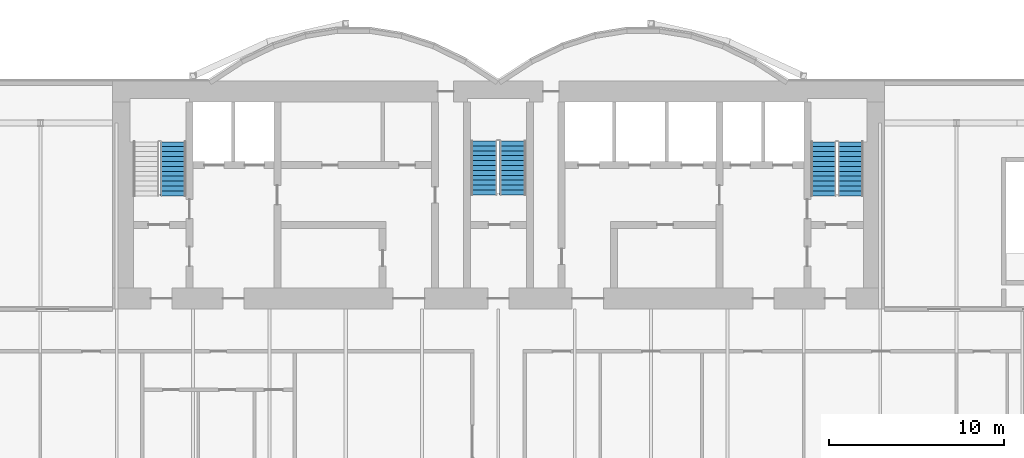
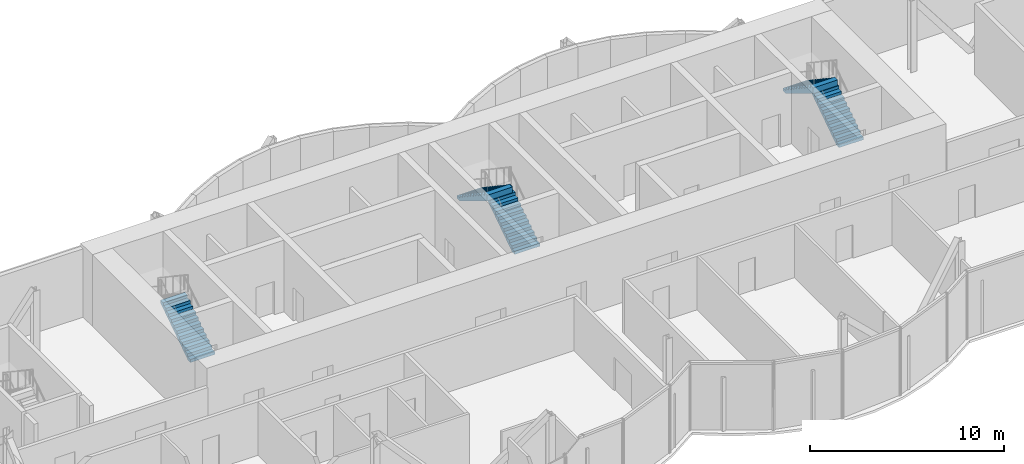
# One storey, part 13 of 16: 5 stair flights, 3 elements without a shape of their own.
"""IFC4 building model written with IfcOpenShell, lengths in metres."""

from ifc_helpers import new_model, si_unit, direction, frame, origin, place, context, subcontext, project, spatial, polyline, outline, extrude, material, type_object, element, aggregate, save


model = new_model("IFC4")

# Units and contexts
model_context = context("Model", 3, precision=1e-05, world=origin(), true_north=direction((0.0, 1.0)))
body_context = subcontext(model_context, "Body", "Model", "MODEL_VIEW")
ifc_project = project(units=[si_unit("LENGTHUNIT", "METRE"), si_unit("AREAUNIT", "SQUARE_METRE"), si_unit("VOLUMEUNIT", "CUBIC_METRE"), si_unit("PLANEANGLEUNIT", "RADIAN"), si_unit("MASSUNIT", "GRAM", prefix="KILO")], contexts=[model_context])

# Site, building, storey
site_placement = place(None, origin())
site = spatial("IfcSite", under=ifc_project, at=site_placement, CompositionType="ELEMENT")
building_placement = place(site_placement, origin())
building = spatial("IfcBuilding", under=site, at=building_placement, Name="Bicima Exchange Tower", CompositionType="ELEMENT")
storey_placement = place(building_placement, frame((0.0, 0.0, 338.0)))
storey = spatial("IfcBuildingStorey", under=building, at=storey_placement, Name="L76", CompositionType="ELEMENT", Elevation=338.0)

# Stair, stair flight
ifc_material = material(Name="Concrete C50/60", Category="concrete")
stair_type_1 = type_object("IfcStairType", Name="Exit stair", PredefinedType="HALF_TURN_STAIR", material=ifc_material)
stair_1_placement = place(storey_placement, origin())
stair_1 = element("IfcStair", 1, at=stair_1_placement, inside=storey, type_object=stair_type_1, Name="L76 West exit stair", PredefinedType="HALF_TURN_STAIR")
stair_flight_type_1 = type_object("IfcStairFlightType", Name="Stair flight RC", PredefinedType="STRAIGHT", material=ifc_material)
stair_flight_1_placement = place(storey_placement, frame((-18.52490234375, -6.550048828125, 0.0), z_axis=(0.0, 0.0, 1.0), x_axis=(0.0, 1.0, 0.0)))
stair_flight_1 = element("IfcStairFlight", 2, at=stair_flight_1_placement, type_object=stair_flight_type_1, Name="ST-W flight 1", NumberOfRisers=12, NumberOfTreads=11, PredefinedType="STRAIGHT", RiserHeight=0.1875, TreadLength=0.28, context=body_context, shape_type="SweptSolid", body=[
    extrude(outline(polyline([(0.0, 0.0), (0.0, 0.1875), (0.280029296875, 0.1875), (0.280029296875, 0.375), (0.56005859375, 0.375), (0.56005859375, 0.5625), (0.840087890625, 0.5625), (0.840087890625, 0.75), (1.1201171875, 0.75), (1.1201171875, 0.9375), (1.39990234375, 0.9375), (1.39990234375, 1.125), (1.679931640625, 1.125), (1.679931640625, 1.3125), (1.9599609375, 1.3125), (1.9599609375, 1.5), (2.239990234375, 1.5), (2.239990234375, 1.6875), (2.52001953125, 1.6875), (2.52001953125, 1.875), (2.800048828125, 1.875), (2.800048828125, 2.0625), (3.080078125, 2.0625), (3.080078125, 2.25), (3.080078125, 1.882080078125), (0.26953125, 0.0), (0.0, 0.0)])), frame((0.0, 0.72509765625, 0.0), z_axis=(0.0, -1.0, 0.0), x_axis=(1.0, 0.0, 0.0)), (0.0, 0.0, 1.0), 1.449951171875),
])
aggregate(stair_1, [stair_flight_1])

# Stair, stair flights
stair_2_placement = place(storey_placement, origin())
stair_2 = element("IfcStair", 3, at=stair_2_placement, inside=storey, type_object=stair_type_1, Name="L76 East exit stair", PredefinedType="HALF_TURN_STAIR")
stair_flight_2_placement = place(storey_placement, frame((20.074951171875, -6.550048828125, 0.0), z_axis=(0.0, 0.0, 1.0), x_axis=(0.0, 1.0, 0.0)))
stair_flight_2 = element("IfcStairFlight", 4, at=stair_flight_2_placement, type_object=stair_flight_type_1, Name="ST-E flight 1", NumberOfRisers=12, NumberOfTreads=11, PredefinedType="STRAIGHT", RiserHeight=0.1875, TreadLength=0.28, context=body_context, shape_type="SweptSolid", body=[
    extrude(outline(polyline([(0.0, 0.0), (0.0, 0.1875), (0.280029296875, 0.1875), (0.280029296875, 0.375), (0.56005859375, 0.375), (0.56005859375, 0.5625), (0.840087890625, 0.5625), (0.840087890625, 0.75), (1.1201171875, 0.75), (1.1201171875, 0.9375), (1.39990234375, 0.9375), (1.39990234375, 1.125), (1.679931640625, 1.125), (1.679931640625, 1.3125), (1.9599609375, 1.3125), (1.9599609375, 1.5), (2.239990234375, 1.5), (2.239990234375, 1.6875), (2.52001953125, 1.6875), (2.52001953125, 1.875), (2.800048828125, 1.875), (2.800048828125, 2.0625), (3.080078125, 2.0625), (3.080078125, 2.25), (3.080078125, 1.882080078125), (0.26953125, 0.0), (0.0, 0.0)])), frame((0.0, 0.72509765625, 0.0), z_axis=(0.0, -1.0, 0.0), x_axis=(1.0, 0.0, 0.0)), (0.0, 0.0, 1.0), 1.449951171875),
])
stair_flight_3_placement = place(storey_placement, frame((18.52490234375, -3.469970703125, 2.25), z_axis=(0.0, 0.0, 1.0), x_axis=(0.0, -1.0, 0.0)))
stair_flight_3 = element("IfcStairFlight", 5, at=stair_flight_3_placement, type_object=stair_flight_type_1, Name="ST-E flight 2", NumberOfRisers=12, NumberOfTreads=11, PredefinedType="STRAIGHT", RiserHeight=0.1875, TreadLength=0.28, context=body_context, shape_type="SweptSolid", body=[
    extrude(outline(polyline([(0.0, 0.0), (0.0, 0.1875), (0.280029296875, 0.1875), (0.280029296875, 0.375), (0.56005859375, 0.375), (0.56005859375, 0.5625), (0.840087890625, 0.5625), (0.840087890625, 0.75), (1.1201171875, 0.75), (1.1201171875, 0.9375), (1.39990234375, 0.9375), (1.39990234375, 1.125), (1.679931640625, 1.125), (1.679931640625, 1.3125), (1.9599609375, 1.3125), (1.9599609375, 1.5), (2.239990234375, 1.5), (2.239990234375, 1.6875), (2.52001953125, 1.6875), (2.52001953125, 1.875), (2.800048828125, 1.875), (2.800048828125, 2.0625), (3.080078125, 2.0625), (3.094970703125, 2.0625), (3.094970703125, 1.70458984375), (0.26953125, 0.0), (0.0, 0.0)])), frame((0.0, 0.72509765625, 0.0), z_axis=(0.0, -1.0, 0.0), x_axis=(1.0, 0.0, 0.0)), (0.0, 0.0, 1.0), 1.449951171875),
])
aggregate(stair_2, [stair_flight_2, stair_flight_3])

stair_type_2 = type_object("IfcStairType", Name="Exit stair 1500", PredefinedType="HALF_TURN_STAIR", material=ifc_material)
stair_3_placement = place(storey_placement, origin())
stair_3 = element("IfcStair", 6, at=stair_3_placement, inside=storey, type_object=stair_type_2, Name="L76 Central exit stair", PredefinedType="HALF_TURN_STAIR")
stair_flight_type_2 = type_object("IfcStairFlightType", Name="Stair flight RC 1500", PredefinedType="STRAIGHT", material=ifc_material)
stair_flight_4_placement = place(storey_placement, frame((0.824951171875, -6.5, 0.0), z_axis=(0.0, 0.0, 1.0), x_axis=(0.0, 1.0, 0.0)))
stair_flight_4 = element("IfcStairFlight", 7, at=stair_flight_4_placement, type_object=stair_flight_type_2, Name="ST-C flight 1", NumberOfRisers=12, NumberOfTreads=11, PredefinedType="STRAIGHT", RiserHeight=0.1875, TreadLength=0.28, context=body_context, shape_type="SweptSolid", body=[
    extrude(outline(polyline([(0.0, 0.0), (0.0, 0.1875), (0.280029296875, 0.1875), (0.280029296875, 0.375), (0.56005859375, 0.375), (0.56005859375, 0.5625), (0.840087890625, 0.5625), (0.840087890625, 0.75), (1.1201171875, 0.75), (1.1201171875, 0.9375), (1.39990234375, 0.9375), (1.39990234375, 1.125), (1.679931640625, 1.125), (1.679931640625, 1.3125), (1.9599609375, 1.3125), (1.9599609375, 1.5), (2.239990234375, 1.5), (2.239990234375, 1.6875), (2.52001953125, 1.6875), (2.52001953125, 1.875), (2.800048828125, 1.875), (2.800048828125, 2.0625), (3.080078125, 2.0625), (3.080078125, 2.25), (3.080078125, 1.882080078125), (0.26953125, 0.0), (0.0, 0.0)])), frame((0.0, 0.75, 0.0), z_axis=(0.0, -1.0, 0.0), x_axis=(1.0, 0.0, 0.0)), (0.0, 0.0, 1.0), 1.5),
])
stair_flight_5_placement = place(storey_placement, frame((-0.824951171875, -3.419921875, 2.25), z_axis=(0.0, 0.0, 1.0), x_axis=(0.0, -1.0, 0.0)))
stair_flight_5 = element("IfcStairFlight", 8, at=stair_flight_5_placement, type_object=stair_flight_type_2, Name="ST-C flight 2", NumberOfRisers=12, NumberOfTreads=11, PredefinedType="STRAIGHT", RiserHeight=0.1875, TreadLength=0.28, context=body_context, shape_type="SweptSolid", body=[
    extrude(outline(polyline([(0.0, 0.0), (0.0, 0.1875), (0.280029296875, 0.1875), (0.280029296875, 0.375), (0.56005859375, 0.375), (0.56005859375, 0.5625), (0.840087890625, 0.5625), (0.840087890625, 0.75), (1.1201171875, 0.75), (1.1201171875, 0.9375), (1.39990234375, 0.9375), (1.39990234375, 1.125), (1.679931640625, 1.125), (1.679931640625, 1.3125), (1.9599609375, 1.3125), (1.9599609375, 1.5), (2.239990234375, 1.5), (2.239990234375, 1.6875), (2.52001953125, 1.6875), (2.52001953125, 1.875), (2.800048828125, 1.875), (2.800048828125, 2.0625), (3.080078125, 2.0625), (3.094970703125, 2.0625), (3.094970703125, 1.70458984375), (0.26953125, 0.0), (0.0, 0.0)])), frame((0.0, 0.75, 0.0), z_axis=(0.0, -1.0, 0.0), x_axis=(1.0, 0.0, 0.0)), (0.0, 0.0, 1.0), 1.5),
])
aggregate(stair_3, [stair_flight_4, stair_flight_5])

save(model, "model.ifc")
